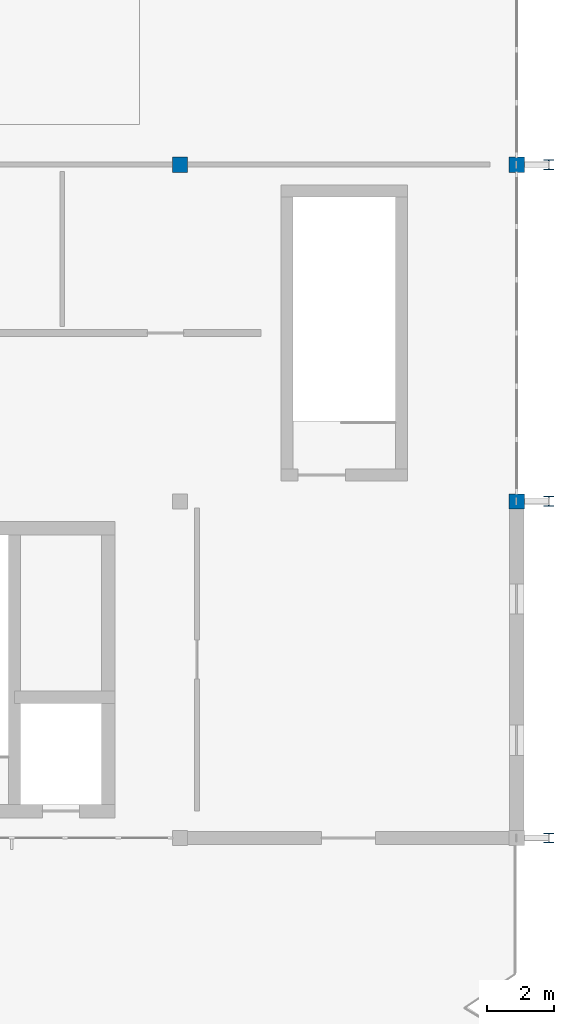
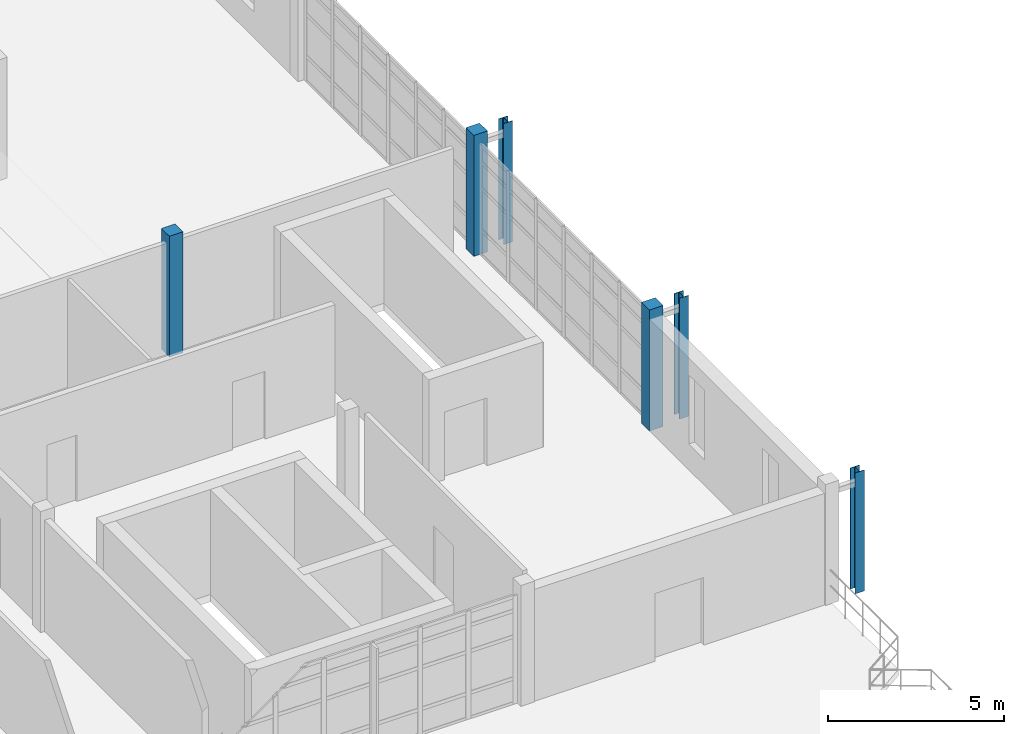
# One storey, part 16 of 122: 6 columns.
"""IFC4 building model written with IfcOpenShell, lengths in metres."""

from ifc_helpers import new_model, si_unit, direction, frame, origin, origin_2d, place, context, subcontext, project, spatial, rectangle, i_section, extrude, material, material_profile, profile_set, type_object, element, save


model = new_model("IFC4")

# Units and contexts
model_context = context("Model", 3, precision=1e-05, world=origin(), true_north=direction((0.0, 1.0)))
body_context = subcontext(model_context, "Body", "Model", "MODEL_VIEW")
ifc_project = project(units=[si_unit("LENGTHUNIT", "METRE"), si_unit("AREAUNIT", "SQUARE_METRE"), si_unit("VOLUMEUNIT", "CUBIC_METRE"), si_unit("PLANEANGLEUNIT", "RADIAN"), si_unit("MASSUNIT", "GRAM", prefix="KILO"), si_unit("THERMODYNAMICTEMPERATUREUNIT", "KELVIN"), si_unit("POWERUNIT", "WATT")], contexts=[model_context])

# Site, building, storey
site_placement = place(None, origin())
site = spatial("IfcSite", under=ifc_project, at=site_placement, CompositionType="ELEMENT")
building_placement = place(site_placement, origin())
building = spatial("IfcBuilding", under=site, at=building_placement, Name="Korenveer Ferry Terminal", CompositionType="ELEMENT")
storey_placement = place(building_placement, frame((0.0, 0.0, 10.199951171875)))
storey = spatial("IfcBuildingStorey", under=building, at=storey_placement, Name="L02", CompositionType="ELEMENT", Elevation=10.199951171875)

# Columns
ifc_material_1 = material(Name="Concrete C45/55", Category="concrete")
ifc_material_profile_1 = material_profile(ifc_material_1, rectangle(XDim=0.449951171875, YDim=0.449951171875, at=origin_2d()), Name="RC 450x450")
ifc_profile_set_1 = profile_set([ifc_material_profile_1], Name="Concrete C45/55")
column_type_1 = type_object("IfcColumnType", Name="STR-COL-RC450", PredefinedType="COLUMN", material=ifc_profile_set_1)
for number, where, z_axis, x_axis, name in (
    (1, (166.0, 40.0, 0.0), (0.0, 0.0, 1.0), (1.0, 0.0, 0.0), "Column COL-L02-X166-Y40"),
    (2, (176.0, 30.0, 0.0), (0.0, 0.0, 1.0), (1.0, 0.0, 0.0), "Column COL-L02-X176-Y30"),
    (3, (176.0, 40.0, 0.0), (0.0, 0.0, 1.0), (1.0, 0.0, 0.0), "Column COL-L02-X176-Y40"),
):
    element("IfcColumn", number, at=place(storey_placement, frame(where, z_axis=z_axis, x_axis=x_axis)), inside=storey, type_object=column_type_1, Name=name, PredefinedType="COLUMN", context=body_context, shape_type="SweptSolid", body=[
        extrude(rectangle(XDim=0.449951171875, YDim=0.449951171875, at=origin_2d()), origin(), (0.0, 0.0, 1.0), 4.199951171875),
    ])
ifc_material_2 = material(Name="Steel S355", Category="steel")
ifc_material_profile_2 = material_profile(ifc_material_2, i_section(OverallWidth=0.300048828125, OverallDepth=0.2900390625, WebThickness=0.008544921875, FlangeThickness=0.013916015625, FilletRadius=0.027099609375, at=origin_2d()), Name="HEA 300")
ifc_profile_set_2 = profile_set([ifc_material_profile_2], Name="Steel S355")
column_type_2 = type_object("IfcColumnType", Name="STR-PIL-BRICK450", PredefinedType="PILASTER", material=ifc_profile_set_2)
for number, where, z_axis, x_axis, name in (
    (4, (176.949951171875, 20.0, 0.0), (0.0, 0.0, 1.0), (1.0, 0.0, 0.0), "Buttress pilaster 21"),
    (5, (176.949951171875, 30.0, 0.0), (0.0, 0.0, 1.0), (1.0, 0.0, 0.0), "Buttress pilaster 24"),
    (6, (176.949951171875, 40.0, 0.0), (0.0, 0.0, 1.0), (1.0, 0.0, 0.0), "Buttress pilaster 27"),
):
    element("IfcColumn", number, at=place(storey_placement, frame(where, z_axis=z_axis, x_axis=x_axis)), inside=storey, type_object=column_type_2, Name=name, PredefinedType="PILASTER", context=body_context, shape_type="SweptSolid", body=[
        extrude(i_section(OverallWidth=0.300048828125, OverallDepth=0.2900390625, WebThickness=0.008544921875, FlangeThickness=0.013916015625, FilletRadius=0.027099609375, at=origin_2d()), origin(), (0.0, 0.0, 1.0), 4.199951171875),
    ])

save(model, "model.ifc")
